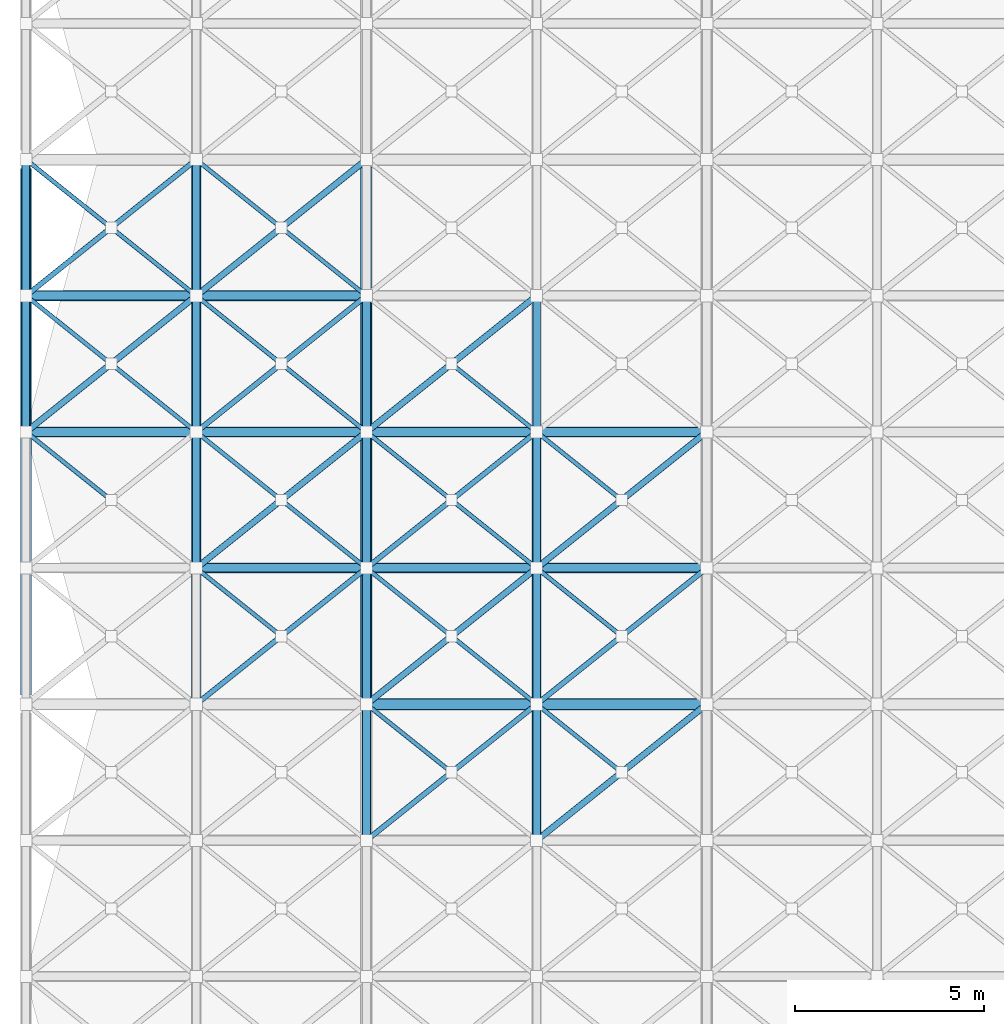
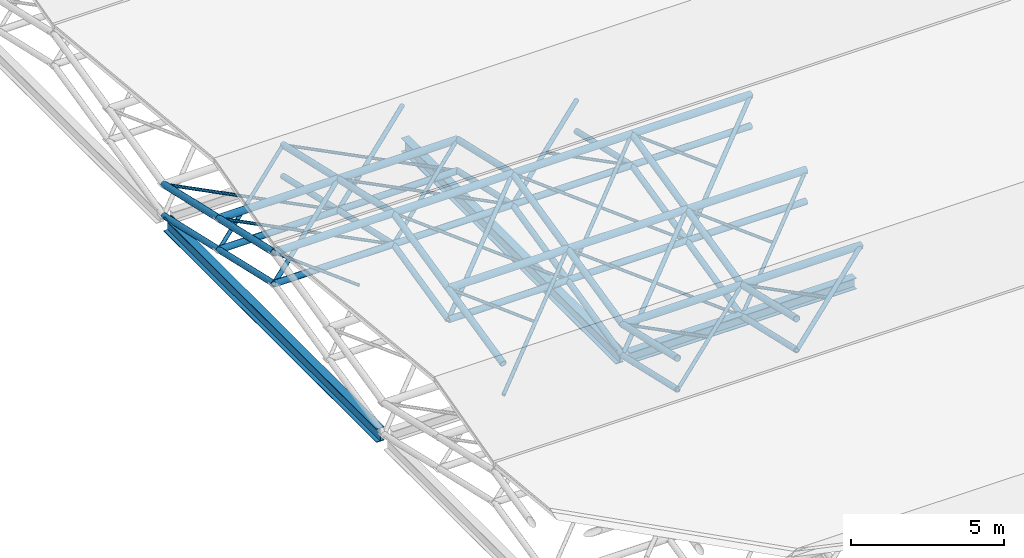
# One storey, part 16 of 110: 80 members, 3 beams.
"""IFC4 building model written with IfcOpenShell, lengths in metres."""

from ifc_helpers import new_model, si_unit, direction, frame, origin, origin_2d, place, context, subcontext, project, spatial, hollow_circle, i_section, extrude, material, material_profile, profile_set, type_object, element, save


model = new_model("IFC4")

# Units and contexts
model_context = context("Model", 3, precision=1e-05, world=origin(), true_north=direction((0.0, 1.0)))
body_context = subcontext(model_context, "Body", "Model", "MODEL_VIEW")
ifc_project = project(units=[si_unit("LENGTHUNIT", "METRE"), si_unit("AREAUNIT", "SQUARE_METRE"), si_unit("VOLUMEUNIT", "CUBIC_METRE"), si_unit("PLANEANGLEUNIT", "RADIAN"), si_unit("MASSUNIT", "GRAM", prefix="KILO")], contexts=[model_context])

# Site, building, storey
site_placement = place(None, origin())
site = spatial("IfcSite", under=ifc_project, at=site_placement, CompositionType="ELEMENT")
building_placement = place(site_placement, origin())
building = spatial("IfcBuilding", under=site, at=building_placement, Name="Tamarisk Ironworks Central Station", CompositionType="ELEMENT")
storey_placement = place(building_placement, frame((0.0, 0.0, 17.39990234375)))
storey = spatial("IfcBuildingStorey", under=building, at=storey_placement, Name="L03", CompositionType="ELEMENT", Elevation=17.39990234375)

# Beams
ifc_material_1 = material(Name="Structural steel S355J2", Category="steel")
ifc_material_profile_1 = material_profile(ifc_material_1, i_section(OverallWidth=0.300048828125, OverallDepth=0.5400390625, WebThickness=0.012451171875, FlangeThickness=0.02392578125, at=origin_2d()), Name="HEA 550")
ifc_profile_set_1 = profile_set([ifc_material_profile_1], Name="Structural steel S355J2")
beam_type_1 = type_object("IfcBeamType", Name="BM-G04", PredefinedType="BEAM", material=ifc_profile_set_1)
beam_1_placement = place(storey_placement, frame((0.0, 50.637939453125, -1.869873046875), z_axis=(0.0, 1.0, 0.0), x_axis=(-1.0, 0.0, 0.0)))
element("IfcBeam", 1, at=beam_1_placement, inside=storey, type_object=beam_type_1, Name="L03 primary girder Y-0584", PredefinedType="BEAM", context=body_context, shape_type="SweptSolid", body=[
    extrude(i_section(OverallWidth=0.300048828125, OverallDepth=0.5400390625, WebThickness=0.012451171875, FlangeThickness=0.02392578125, at=origin_2d()), origin(), (0.0, 0.0, 1.0), 13.924072265625),
])
beam_2_placement = place(storey_placement, frame((9.0, 50.59130859375, -1.869873046875), z_axis=(0.0, 1.0, 0.0), x_axis=(-1.0, 0.0, 0.0)))
element("IfcBeam", 2, at=beam_2_placement, inside=storey, type_object=beam_type_1, Name="L03 primary girder Y-0588", PredefinedType="BEAM", context=body_context, shape_type="SweptSolid", body=[
    extrude(i_section(OverallWidth=0.300048828125, OverallDepth=0.5400390625, WebThickness=0.012451171875, FlangeThickness=0.02392578125, at=origin_2d()), origin(), (0.0, 0.0, 1.0), 14.017578125),
])
ifc_material_profile_2 = material_profile(ifc_material_1, i_section(OverallWidth=0.300048828125, OverallDepth=0.43994140625, WebThickness=0.011474609375, FlangeThickness=0.02099609375, at=origin_2d()), Name="HEA 450")
ifc_profile_set_2 = profile_set([ifc_material_profile_2], Name="Structural steel S355J2")
beam_type_2 = type_object("IfcBeamType", Name="BM-G06", PredefinedType="BEAM", material=ifc_profile_set_2)
beam_3_placement = place(storey_placement, frame((9.191162109375, 50.39990234375, -1.81982421875), z_axis=(1.0, 0.0, 0.0), x_axis=(0.0, 1.0, 0.0)))
element("IfcBeam", 3, at=beam_3_placement, inside=storey, type_object=beam_type_2, Name="L03 primary girder X-0558", PredefinedType="BEAM", context=body_context, shape_type="SweptSolid", body=[
    extrude(i_section(OverallWidth=0.300048828125, OverallDepth=0.43994140625, WebThickness=0.011474609375, FlangeThickness=0.02099609375, at=origin_2d()), origin(), (0.0, 0.0, 1.0), 8.56689453125),
])

# Members
ifc_material_2 = material(Name="Structural steel S355J2H", Category="steel")
ifc_material_profile_3 = material_profile(ifc_material_2, hollow_circle(Radius=0.136474609375, WallThickness=0.012451171875, at=origin_2d()), Name="CHS 273x12.5")
ifc_profile_set_3 = profile_set([ifc_material_profile_3], Name="Structural steel S355J2H")
member_type_1 = type_object("IfcMemberType", Name="MB-SFC01", PredefinedType="CHORD", material=ifc_profile_set_3)
for number, where, z_axis, x_axis, name in (
    (4, (9.0, 50.39990234375, -0.469970703125), (1.0, 0.0, 0.0), (0.0, 1.0, 0.0), "Train shed space-frame top chord 0355"),
    (5, (13.5, 50.39990234375, -0.469970703125), (1.0, 0.0, 0.0), (0.0, 1.0, 0.0), "Train shed space-frame top chord 0356"),
    (6, (4.5, 54.0, 0.35498046875), (1.0, 0.0, 0.0), (0.0, 1.0, 0.0), "Train shed space-frame top chord 0562"),
    (7, (9.0, 54.0, 0.35498046875), (1.0, 0.0, 0.0), (0.0, 1.0, 0.0), "Train shed space-frame top chord 0563"),
    (8, (13.5, 54.0, 0.35498046875), (1.0, 0.0, 0.0), (0.0, 1.0, 0.0), "Train shed space-frame top chord 0564"),
    (9, (0.0, 57.60009765625, 1.18017578125), (1.0, 0.0, 0.0), (0.0, 1.0, 0.0), "Train shed space-frame top chord 0571"),
    (10, (4.5, 57.60009765625, 1.18017578125), (1.0, 0.0, 0.0), (0.0, 1.0, 0.0), "Train shed space-frame top chord 0572"),
    (11, (9.0, 57.60009765625, 1.18017578125), (1.0, 0.0, 0.0), (0.0, 1.0, 0.0), "Train shed space-frame top chord 0573"),
    (12, (13.5, 57.60009765625, 1.18017578125), (1.0, 0.0, 0.0), (0.0, 1.0, 0.0), "Train shed space-frame top chord 0574"),
    (13, (0.0, 61.199951171875, 0.35498046875), (1.0, 0.0, 0.0), (0.0, 1.0, 0.0), "Train shed space-frame top chord 0581"),
    (14, (4.5, 61.199951171875, 0.35498046875), (1.0, 0.0, 0.0), (0.0, 1.0, 0.0), "Train shed space-frame top chord 0582"),
):
    element("IfcMember", number, at=place(storey_placement, frame(where, z_axis=z_axis, x_axis=x_axis)), inside=storey, type_object=member_type_1, Name=name, PredefinedType="CHORD", context=body_context, shape_type="SweptSolid", body=[
        extrude(hollow_circle(Radius=0.136474609375, WallThickness=0.012451171875, at=origin_2d()), origin(), (0.0, 0.0, 1.0), 4.5),
    ])
ifc_material_profile_4 = material_profile(ifc_material_2, hollow_circle(Radius=0.122314453125, WallThickness=0.012451171875, at=origin_2d()), Name="CHS 244.5x12.5")
ifc_profile_set_4 = profile_set([ifc_material_profile_4], Name="Structural steel S355J2H")
member_type_2 = type_object("IfcMemberType", Name="MB-SFC02", PredefinedType="CHORD", material=ifc_profile_set_4)
for number, where, z_axis, x_axis, name in (
    (15, (9.0, 46.800048828125, 0.35498046875), (0.0, 0.974733218107, -0.223372230857), (-1.0, 0.0, 0.0), "Train shed space-frame top transverse chord 0374"),
    (16, (13.5, 46.800048828125, 0.35498046875), (0.0, 0.974733218107, -0.223372230857), (-1.0, 0.0, 0.0), "Train shed space-frame top transverse chord 0378"),
):
    element("IfcMember", number, at=place(storey_placement, frame(where, z_axis=z_axis, x_axis=x_axis)), inside=storey, type_object=member_type_2, Name=name, PredefinedType="CHORD", context=body_context, shape_type="SweptSolid", body=[
        extrude(hollow_circle(Radius=0.122314453125, WallThickness=0.012451171875, at=origin_2d()), origin(), (0.0, 0.0, 1.0), 3.693115234375),
    ])
for number, where, z_axis, x_axis, name in (
    (17, (4.5, 54.0, -0.89501953125), (1.0, 0.0, 0.0), (0.0, 1.0, 0.0), "Train shed space-frame bottom chord 0488"),
    (18, (9.0, 54.0, -0.89501953125), (1.0, 0.0, 0.0), (0.0, 1.0, 0.0), "Train shed space-frame bottom chord 0489"),
    (19, (13.5, 54.0, -0.89501953125), (1.0, 0.0, 0.0), (0.0, 1.0, 0.0), "Train shed space-frame bottom chord 0490"),
    (20, (0.0, 57.60009765625, -0.06982421875), (1.0, 0.0, 0.0), (0.0, 1.0, 0.0), "Train shed space-frame bottom chord 0497"),
    (21, (4.5, 57.60009765625, -0.06982421875), (1.0, 0.0, 0.0), (0.0, 1.0, 0.0), "Train shed space-frame bottom chord 0498"),
    (22, (9.0, 57.60009765625, -0.06982421875), (1.0, 0.0, 0.0), (0.0, 1.0, 0.0), "Train shed space-frame bottom chord 0499"),
    (23, (13.5, 57.60009765625, -0.06982421875), (1.0, 0.0, 0.0), (0.0, 1.0, 0.0), "Train shed space-frame bottom chord 0500"),
    (24, (0.0, 61.199951171875, -0.89501953125), (1.0, 0.0, 0.0), (0.0, 1.0, 0.0), "Train shed space-frame bottom chord 0507"),
    (25, (4.5, 61.199951171875, -0.89501953125), (1.0, 0.0, 0.0), (0.0, 1.0, 0.0), "Train shed space-frame bottom chord 0508"),
):
    element("IfcMember", number, at=place(storey_placement, frame(where, z_axis=z_axis, x_axis=x_axis)), inside=storey, type_object=member_type_2, Name=name, PredefinedType="CHORD", context=body_context, shape_type="SweptSolid", body=[
        extrude(hollow_circle(Radius=0.122314453125, WallThickness=0.012451171875, at=origin_2d()), origin(), (0.0, 0.0, 1.0), 4.5),
    ])
member_1_placement = place(storey_placement, frame((0.0, 57.60009765625, 1.18017578125), z_axis=(0.0, 0.974718823144, -0.223435037113), x_axis=(-1.0, 0.0, 0.0)))
element("IfcMember", 26, at=member_1_placement, inside=storey, type_object=member_type_2, Name="Train shed space-frame top transverse chord 0603", PredefinedType="CHORD", context=body_context, shape_type="SweptSolid", body=[
    extrude(hollow_circle(Radius=0.122314453125, WallThickness=0.012451171875, at=origin_2d()), origin(), (0.0, 0.0, 1.0), 3.693115234375),
])
for number, where, z_axis, x_axis, name in (
    (27, (0.0, 61.199951171875, 0.35498046875), (0.0, 0.974736516158, -0.223357838607), (-1.0, 0.0, 0.0), "Train shed space-frame top transverse chord 0604"),
    (28, (4.5, 50.39990234375, -0.469970703125), (0.0, 0.974736516158, 0.223357838607), (-1.0, 0.0, 0.0), "Train shed space-frame top transverse chord 0605"),
    (29, (4.5, 54.0, 0.35498046875), (0.0, 0.974722123001, 0.223420641241), (-1.0, 0.0, 0.0), "Train shed space-frame top transverse chord 0606"),
):
    element("IfcMember", number, at=place(storey_placement, frame(where, z_axis=z_axis, x_axis=x_axis)), inside=storey, type_object=member_type_2, Name=name, PredefinedType="CHORD", context=body_context, shape_type="SweptSolid", body=[
        extrude(hollow_circle(Radius=0.122314453125, WallThickness=0.012451171875, at=origin_2d()), origin(), (0.0, 0.0, 1.0), 3.693359375),
    ])
member_2_placement = place(storey_placement, frame((4.5, 57.60009765625, 1.18017578125), z_axis=(0.0, 0.974718823144, -0.223435037113), x_axis=(-1.0, 0.0, 0.0)))
element("IfcMember", 30, at=member_2_placement, inside=storey, type_object=member_type_2, Name="Train shed space-frame top transverse chord 0607", PredefinedType="CHORD", context=body_context, shape_type="SweptSolid", body=[
    extrude(hollow_circle(Radius=0.122314453125, WallThickness=0.012451171875, at=origin_2d()), origin(), (0.0, 0.0, 1.0), 3.693115234375),
])
for number, where, z_axis, x_axis, name in (
    (31, (4.5, 61.199951171875, 0.35498046875), (0.0, 0.974736516158, -0.223357838607), (-1.0, 0.0, 0.0), "Train shed space-frame top transverse chord 0608"),
    (32, (9.0, 50.39990234375, -0.469970703125), (0.0, 0.974736516158, 0.223357838607), (-1.0, 0.0, 0.0), "Train shed space-frame top transverse chord 0609"),
    (33, (9.0, 54.0, 0.35498046875), (0.0, 0.974722123001, 0.223420641241), (-1.0, 0.0, 0.0), "Train shed space-frame top transverse chord 0610"),
):
    element("IfcMember", number, at=place(storey_placement, frame(where, z_axis=z_axis, x_axis=x_axis)), inside=storey, type_object=member_type_2, Name=name, PredefinedType="CHORD", context=body_context, shape_type="SweptSolid", body=[
        extrude(hollow_circle(Radius=0.122314453125, WallThickness=0.012451171875, at=origin_2d()), origin(), (0.0, 0.0, 1.0), 3.693359375),
    ])
member_3_placement = place(storey_placement, frame((9.0, 57.60009765625, 1.18017578125), z_axis=(0.0, 0.974718823144, -0.223435037113), x_axis=(-1.0, 0.0, 0.0)))
element("IfcMember", 34, at=member_3_placement, inside=storey, type_object=member_type_2, Name="Train shed space-frame top transverse chord 0611", PredefinedType="CHORD", context=body_context, shape_type="SweptSolid", body=[
    extrude(hollow_circle(Radius=0.122314453125, WallThickness=0.012451171875, at=origin_2d()), origin(), (0.0, 0.0, 1.0), 3.693115234375),
])
for number, where, z_axis, x_axis, name in (
    (35, (13.5, 50.39990234375, -0.469970703125), (0.0, 0.974736516158, 0.223357838607), (-1.0, 0.0, 0.0), "Train shed space-frame top transverse chord 0613"),
    (36, (13.5, 54.0, 0.35498046875), (0.0, 0.974722123001, 0.223420641241), (-1.0, 0.0, 0.0), "Train shed space-frame top transverse chord 0614"),
):
    element("IfcMember", number, at=place(storey_placement, frame(where, z_axis=z_axis, x_axis=x_axis)), inside=storey, type_object=member_type_2, Name=name, PredefinedType="CHORD", context=body_context, shape_type="SweptSolid", body=[
        extrude(hollow_circle(Radius=0.122314453125, WallThickness=0.012451171875, at=origin_2d()), origin(), (0.0, 0.0, 1.0), 3.693359375),
    ])
ifc_material_profile_5 = material_profile(ifc_material_2, hollow_circle(Radius=0.109619140625, WallThickness=0.010009765625, at=origin_2d()), Name="CHS 219.1x10")
ifc_profile_set_5 = profile_set([ifc_material_profile_5], Name="Structural steel S355J2H")
member_type_3 = type_object("IfcMemberType", Name="MB-SFC03", PredefinedType="CHORD", material=ifc_profile_set_5)
for number, where, z_axis, x_axis, name in (
    (37, (9.0, 46.800048828125, -0.89501953125), (0.0, 0.974733218107, -0.223372230857), (-1.0, 0.0, 0.0), "Train shed space-frame transverse chord 0290"),
    (38, (13.5, 46.800048828125, -0.89501953125), (0.0, 0.974733218107, -0.223372230857), (-1.0, 0.0, 0.0), "Train shed space-frame transverse chord 0294"),
    (39, (0.0, 57.60009765625, -0.06982421875), (0.0, 0.974718823144, -0.223435037113), (-1.0, 0.0, 0.0), "Train shed space-frame transverse chord 0519"),
):
    element("IfcMember", number, at=place(storey_placement, frame(where, z_axis=z_axis, x_axis=x_axis)), inside=storey, type_object=member_type_3, Name=name, PredefinedType="CHORD", context=body_context, shape_type="SweptSolid", body=[
        extrude(hollow_circle(Radius=0.109619140625, WallThickness=0.010009765625, at=origin_2d()), origin(), (0.0, 0.0, 1.0), 3.693115234375),
    ])
for number, where, z_axis, x_axis, name in (
    (40, (0.0, 61.199951171875, -0.89501953125), (0.0, 0.974736516158, -0.223357838607), (-1.0, 0.0, 0.0), "Train shed space-frame transverse chord 0520"),
    (41, (4.5, 54.0, -0.89501953125), (0.0, 0.974722123001, 0.223420641241), (-1.0, 0.0, 0.0), "Train shed space-frame transverse chord 0522"),
):
    element("IfcMember", number, at=place(storey_placement, frame(where, z_axis=z_axis, x_axis=x_axis)), inside=storey, type_object=member_type_3, Name=name, PredefinedType="CHORD", context=body_context, shape_type="SweptSolid", body=[
        extrude(hollow_circle(Radius=0.109619140625, WallThickness=0.010009765625, at=origin_2d()), origin(), (0.0, 0.0, 1.0), 3.693359375),
    ])
member_4_placement = place(storey_placement, frame((4.5, 57.60009765625, -0.06982421875), z_axis=(0.0, 0.974718823144, -0.223435037113), x_axis=(-1.0, 0.0, 0.0)))
element("IfcMember", 42, at=member_4_placement, inside=storey, type_object=member_type_3, Name="Train shed space-frame transverse chord 0523", PredefinedType="CHORD", context=body_context, shape_type="SweptSolid", body=[
    extrude(hollow_circle(Radius=0.109619140625, WallThickness=0.010009765625, at=origin_2d()), origin(), (0.0, 0.0, 1.0), 3.693115234375),
])
for number, where, z_axis, x_axis, name in (
    (43, (4.5, 61.199951171875, -0.89501953125), (0.0, 0.974736516158, -0.223357838607), (-1.0, 0.0, 0.0), "Train shed space-frame transverse chord 0524"),
    (44, (9.0, 50.39990234375, -1.719970703125), (0.0, 0.974736516158, 0.223357838607), (-1.0, 0.0, 0.0), "Train shed space-frame transverse chord 0525"),
    (45, (9.0, 54.0, -0.89501953125), (0.0, 0.974722123001, 0.223420641241), (-1.0, 0.0, 0.0), "Train shed space-frame transverse chord 0526"),
):
    element("IfcMember", number, at=place(storey_placement, frame(where, z_axis=z_axis, x_axis=x_axis)), inside=storey, type_object=member_type_3, Name=name, PredefinedType="CHORD", context=body_context, shape_type="SweptSolid", body=[
        extrude(hollow_circle(Radius=0.109619140625, WallThickness=0.010009765625, at=origin_2d()), origin(), (0.0, 0.0, 1.0), 3.693359375),
    ])
member_5_placement = place(storey_placement, frame((9.0, 57.60009765625, -0.06982421875), z_axis=(0.0, 0.974718823144, -0.223435037113), x_axis=(-1.0, 0.0, 0.0)))
element("IfcMember", 46, at=member_5_placement, inside=storey, type_object=member_type_3, Name="Train shed space-frame transverse chord 0527", PredefinedType="CHORD", context=body_context, shape_type="SweptSolid", body=[
    extrude(hollow_circle(Radius=0.109619140625, WallThickness=0.010009765625, at=origin_2d()), origin(), (0.0, 0.0, 1.0), 3.693115234375),
])
for number, where, z_axis, x_axis, name in (
    (47, (13.5, 50.39990234375, -1.719970703125), (0.0, 0.974736516158, 0.223357838607), (-1.0, 0.0, 0.0), "Train shed space-frame transverse chord 0529"),
    (48, (13.5, 54.0, -0.89501953125), (0.0, 0.974722123001, 0.223420641241), (-1.0, 0.0, 0.0), "Train shed space-frame transverse chord 0530"),
):
    element("IfcMember", number, at=place(storey_placement, frame(where, z_axis=z_axis, x_axis=x_axis)), inside=storey, type_object=member_type_3, Name=name, PredefinedType="CHORD", context=body_context, shape_type="SweptSolid", body=[
        extrude(hollow_circle(Radius=0.109619140625, WallThickness=0.010009765625, at=origin_2d()), origin(), (0.0, 0.0, 1.0), 3.693359375),
    ])
member_6_placement = place(storey_placement, frame((13.5, 57.60009765625, -0.06982421875), z_axis=(0.0, 0.974718823144, -0.223435037113), x_axis=(-1.0, 0.0, 0.0)))
element("IfcMember", 49, at=member_6_placement, inside=storey, type_object=member_type_3, Name="Train shed space-frame transverse chord 0531", PredefinedType="CHORD", context=body_context, shape_type="SweptSolid", body=[
    extrude(hollow_circle(Radius=0.109619140625, WallThickness=0.010009765625, at=origin_2d()), origin(), (0.0, 0.0, 1.0), 3.693115234375),
])
ifc_material_profile_6 = material_profile(ifc_material_2, hollow_circle(Radius=0.084228515625, WallThickness=0.010009765625, at=origin_2d()), Name="CHS 168.3x10")
ifc_profile_set_6 = profile_set([ifc_material_profile_6], Name="Structural steel S355J2H")
member_type_4 = type_object("IfcMemberType", Name="MB-SFD01", PredefinedType="BRACE", material=ifc_profile_set_6)
for number, where, z_axis, x_axis, name in (
    (50, (13.5, 46.800048828125, -0.89501953125), (0.778765724077, 0.622987228815, 0.073558546312), (-0.624679547852, 0.780881208953, 0.0), "Train shed space-frame diagonal 0437"),
    (51, (0.0, 57.60009765625, -0.06982421875), (0.778768143722, 0.622989164452, 0.073516523984), (-0.624679547852, 0.780881208953, 0.0), "Train shed space-frame diagonal 0649"),
):
    element("IfcMember", number, at=place(storey_placement, frame(where, z_axis=z_axis, x_axis=x_axis)), inside=storey, type_object=member_type_4, Name=name, PredefinedType="BRACE", context=body_context, shape_type="SweptSolid", body=[
        extrude(hollow_circle(Radius=0.084228515625, WallThickness=0.010009765625, at=origin_2d()), origin(), (0.0, 0.0, 1.0), 5.7783203125),
    ])
member_7_placement = place(storey_placement, frame((4.5, 54.0, -0.89501953125), z_axis=(0.734679055902, 0.587759188278, 0.338800562889), x_axis=(-0.624705380279, 0.780860543151, 0.0)))
element("IfcMember", 52, at=member_7_placement, inside=storey, type_object=member_type_4, Name="Train shed space-frame diagonal 0655", PredefinedType="BRACE", context=body_context, shape_type="SweptSolid", body=[
    extrude(hollow_circle(Radius=0.084228515625, WallThickness=0.010009765625, at=origin_2d()), origin(), (0.0, 0.0, 1.0), 6.125244140625),
])
member_8_placement = place(storey_placement, frame((4.5, 61.199951171875, -0.89501953125), z_axis=(0.778745225774, 0.623013080472, 0.073556610138), x_axis=(-0.624705380279, 0.780860543151, 0.0)))
element("IfcMember", 53, at=member_8_placement, inside=storey, type_object=member_type_4, Name="Train shed space-frame diagonal 0659", PredefinedType="BRACE", context=body_context, shape_type="SweptSolid", body=[
    extrude(hollow_circle(Radius=0.084228515625, WallThickness=0.010009765625, at=origin_2d()), origin(), (0.0, 0.0, 1.0), 5.778564453125),
])
member_9_placement = place(storey_placement, frame((9.0, 50.39990234375, -1.719970703125), z_axis=(0.734688976783, 0.587767125198, 0.33876527852), x_axis=(-0.624705380279, 0.780860543151, 0.0)))
element("IfcMember", 54, at=member_9_placement, inside=storey, type_object=member_type_4, Name="Train shed space-frame diagonal 0661", PredefinedType="BRACE", context=body_context, shape_type="SweptSolid", body=[
    extrude(hollow_circle(Radius=0.084228515625, WallThickness=0.010009765625, at=origin_2d()), origin(), (0.0, 0.0, 1.0), 6.125),
])
member_10_placement = place(storey_placement, frame((9.0, 57.60009765625, -0.06982421875), z_axis=(0.778768143722, 0.622989164452, 0.073516523984), x_axis=(-0.624679547852, 0.780881208953, 0.0)))
element("IfcMember", 55, at=member_10_placement, inside=storey, type_object=member_type_4, Name="Train shed space-frame diagonal 0665", PredefinedType="BRACE", context=body_context, shape_type="SweptSolid", body=[
    extrude(hollow_circle(Radius=0.084228515625, WallThickness=0.010009765625, at=origin_2d()), origin(), (0.0, 0.0, 1.0), 5.7783203125),
])
member_11_placement = place(storey_placement, frame((13.5, 54.0, -0.89501953125), z_axis=(0.734679055902, 0.587759188278, 0.338800562889), x_axis=(-0.624705380279, 0.780860543151, 0.0)))
element("IfcMember", 56, at=member_11_placement, inside=storey, type_object=member_type_4, Name="Train shed space-frame diagonal 0671", PredefinedType="BRACE", context=body_context, shape_type="SweptSolid", body=[
    extrude(hollow_circle(Radius=0.084228515625, WallThickness=0.010009765625, at=origin_2d()), origin(), (0.0, 0.0, 1.0), 6.125244140625),
])
ifc_material_profile_7 = material_profile(ifc_material_2, hollow_circle(Radius=0.06982421875, WallThickness=0.008056640625, at=origin_2d()), Name="CHS 139.7x8")
ifc_profile_set_7 = profile_set([ifc_material_profile_7], Name="Structural steel S355J2H")
member_type_5 = type_object("IfcMemberType", Name="MB-SFD02", PredefinedType="BRACE", material=ifc_profile_set_7)
member_12_placement = place(storey_placement, frame((9.0, 46.800048828125, -0.89501953125), z_axis=(0.778765724077, 0.622987228815, 0.073558546312), x_axis=(-0.624679547852, 0.780881208953, 0.0)))
element("IfcMember", 57, at=member_12_placement, inside=storey, type_object=member_type_5, Name="Train shed space-frame diagonal 0429", PredefinedType="BRACE", context=body_context, shape_type="SweptSolid", body=[
    extrude(hollow_circle(Radius=0.06982421875, WallThickness=0.008056640625, at=origin_2d()), origin(), (0.0, 0.0, 1.0), 5.7783203125),
])
member_13_placement = place(storey_placement, frame((0.0, 61.199951171875, -0.89501953125), z_axis=(0.778745225774, 0.623013080472, 0.073556610138), x_axis=(-0.624705380279, 0.780860543151, 0.0)))
element("IfcMember", 58, at=member_13_placement, inside=storey, type_object=member_type_5, Name="Train shed space-frame diagonal 0651", PredefinedType="BRACE", context=body_context, shape_type="SweptSolid", body=[
    extrude(hollow_circle(Radius=0.06982421875, WallThickness=0.008056640625, at=origin_2d()), origin(), (0.0, 0.0, 1.0), 5.778564453125),
])
member_14_placement = place(storey_placement, frame((4.5, 50.39990234375, -1.719970703125), z_axis=(0.734688976783, 0.587767125198, 0.33876527852), x_axis=(-0.624705380279, 0.780860543151, 0.0)))
element("IfcMember", 59, at=member_14_placement, inside=storey, type_object=member_type_5, Name="Train shed space-frame diagonal 0653", PredefinedType="BRACE", context=body_context, shape_type="SweptSolid", body=[
    extrude(hollow_circle(Radius=0.06982421875, WallThickness=0.008056640625, at=origin_2d()), origin(), (0.0, 0.0, 1.0), 6.125),
])
member_15_placement = place(storey_placement, frame((4.5, 57.60009765625, -0.06982421875), z_axis=(0.778768143722, 0.622989164452, 0.073516523984), x_axis=(-0.624679547852, 0.780881208953, 0.0)))
element("IfcMember", 60, at=member_15_placement, inside=storey, type_object=member_type_5, Name="Train shed space-frame diagonal 0657", PredefinedType="BRACE", context=body_context, shape_type="SweptSolid", body=[
    extrude(hollow_circle(Radius=0.06982421875, WallThickness=0.008056640625, at=origin_2d()), origin(), (0.0, 0.0, 1.0), 5.7783203125),
])
member_16_placement = place(storey_placement, frame((9.0, 54.0, -0.89501953125), z_axis=(0.734679055902, 0.587759188278, 0.338800562889), x_axis=(-0.624705380279, 0.780860543151, 0.0)))
element("IfcMember", 61, at=member_16_placement, inside=storey, type_object=member_type_5, Name="Train shed space-frame diagonal 0663", PredefinedType="BRACE", context=body_context, shape_type="SweptSolid", body=[
    extrude(hollow_circle(Radius=0.06982421875, WallThickness=0.008056640625, at=origin_2d()), origin(), (0.0, 0.0, 1.0), 6.125244140625),
])
member_17_placement = place(storey_placement, frame((13.5, 50.39990234375, -1.719970703125), z_axis=(0.734688976783, 0.587767125198, 0.33876527852), x_axis=(-0.624705380279, 0.780860543151, 0.0)))
element("IfcMember", 62, at=member_17_placement, inside=storey, type_object=member_type_5, Name="Train shed space-frame diagonal 0669", PredefinedType="BRACE", context=body_context, shape_type="SweptSolid", body=[
    extrude(hollow_circle(Radius=0.06982421875, WallThickness=0.008056640625, at=origin_2d()), origin(), (0.0, 0.0, 1.0), 6.125),
])
ifc_material_profile_8 = material_profile(ifc_material_2, hollow_circle(Radius=0.05712890625, WallThickness=0.00634765625, at=origin_2d()), Name="CHS 114.3x6.3")
ifc_profile_set_8 = profile_set([ifc_material_profile_8], Name="Structural steel S355J2H")
member_type_6 = type_object("IfcMemberType", Name="MB-SFD03", PredefinedType="BRACE", material=ifc_profile_set_8)
for number, where, z_axis, x_axis, name in (
    (63, (11.207275390625, 48.63427734375, -0.678466796875), (-0.778786711003, 0.622960457248, 0.073563084968), (-0.624652913247, -0.780902515025, 0.0), "Train shed space-frame split counter-diagonal upper 0430"),
    (64, (15.707275390625, 48.63427734375, -0.678466796875), (-0.778786711003, 0.622960457248, 0.073563084968), (-0.624652913247, -0.780902515025, 0.0), "Train shed space-frame split counter-diagonal upper 0438"),
):
    element("IfcMember", number, at=place(storey_placement, frame(where, z_axis=z_axis, x_axis=x_axis)), inside=storey, type_object=member_type_6, Name=name, PredefinedType="BRACE", context=body_context, shape_type="SweptSolid", body=[
        extrude(hollow_circle(Radius=0.05712890625, WallThickness=0.00634765625, at=origin_2d()), origin(), (0.0, 0.0, 1.0), 2.834228515625),
    ])
member_18_placement = place(storey_placement, frame((2.209716796875, 55.832275390625, 0.1611328125), z_axis=(-0.734677102003, 0.587757915766, 0.338807007376), x_axis=(-0.624705568642, -0.780860392457, 0.0)))
element("IfcMember", 65, at=member_18_placement, inside=storey, type_object=member_type_6, Name="Train shed space-frame split counter-diagonal upper 0648", PredefinedType="BRACE", context=body_context, shape_type="SweptSolid", body=[
    extrude(hollow_circle(Radius=0.05712890625, WallThickness=0.00634765625, at=origin_2d()), origin(), (0.0, 0.0, 1.0), 3.0078125),
])
for number, where, z_axis, x_axis, name in (
    (66, (4.5, 57.60009765625, -0.06982421875), (-0.778786711003, 0.622960457248, 0.073563084968), (-0.624652913247, -0.780902515025, 0.0), "Train shed space-frame split counter-diagonal lower 0650"),
    (67, (2.207275390625, 59.434326171875, 0.146484375), (-0.778786711003, 0.622960457248, 0.073563084968), (-0.624652913247, -0.780902515025, 0.0), "Train shed space-frame split counter-diagonal upper 0650"),
):
    element("IfcMember", number, at=place(storey_placement, frame(where, z_axis=z_axis, x_axis=x_axis)), inside=storey, type_object=member_type_6, Name=name, PredefinedType="BRACE", context=body_context, shape_type="SweptSolid", body=[
        extrude(hollow_circle(Radius=0.05712890625, WallThickness=0.00634765625, at=origin_2d()), origin(), (0.0, 0.0, 1.0), 2.834228515625),
    ])
for number, where, z_axis, x_axis, name in (
    (68, (4.5, 61.199951171875, -0.89501953125), (-0.778744920641, 0.623013163477, 0.07355913751), (-0.624705580279, -0.780860383147, 0.0), "Train shed space-frame split counter-diagonal lower 0652"),
    (69, (2.207275390625, 63.0341796875, -0.678466796875), (-0.778744920641, 0.623013163477, 0.07355913751), (-0.624705580279, -0.780860383147, 0.0), "Train shed space-frame split counter-diagonal upper 0652"),
):
    element("IfcMember", number, at=place(storey_placement, frame(where, z_axis=z_axis, x_axis=x_axis)), inside=storey, type_object=member_type_6, Name=name, PredefinedType="BRACE", context=body_context, shape_type="SweptSolid", body=[
        extrude(hollow_circle(Radius=0.05712890625, WallThickness=0.00634765625, at=origin_2d()), origin(), (0.0, 0.0, 1.0), 2.83447265625),
    ])
for number, where, z_axis, x_axis, name in (
    (70, (6.709716796875, 52.232421875, -0.663818359375), (-0.734732358486, 0.587720945248, 0.338751312779), (-0.624652959802, -0.780902477785, 0.0), "Train shed space-frame split counter-diagonal upper 0654"),
    (71, (9.0, 54.0, -0.89501953125), (-0.734712152648, 0.587704782363, 0.33882317149), (-0.624652959802, -0.780902477785, 0.0), "Train shed space-frame split counter-diagonal lower 0656"),
):
    element("IfcMember", number, at=place(storey_placement, frame(where, z_axis=z_axis, x_axis=x_axis)), inside=storey, type_object=member_type_6, Name=name, PredefinedType="BRACE", context=body_context, shape_type="SweptSolid", body=[
        extrude(hollow_circle(Radius=0.05712890625, WallThickness=0.00634765625, at=origin_2d()), origin(), (0.0, 0.0, 1.0), 3.007568359375),
    ])
member_19_placement = place(storey_placement, frame((6.709716796875, 55.832275390625, 0.1611328125), z_axis=(-0.734677102003, 0.587757915766, 0.338807007376), x_axis=(-0.624705568642, -0.780860392457, 0.0)))
element("IfcMember", 72, at=member_19_placement, inside=storey, type_object=member_type_6, Name="Train shed space-frame split counter-diagonal upper 0656", PredefinedType="BRACE", context=body_context, shape_type="SweptSolid", body=[
    extrude(hollow_circle(Radius=0.05712890625, WallThickness=0.00634765625, at=origin_2d()), origin(), (0.0, 0.0, 1.0), 3.0078125),
])
for number, where, z_axis, x_axis, name in (
    (73, (9.0, 57.60009765625, -0.06982421875), (-0.778786711003, 0.622960457248, 0.073563084968), (-0.624652913247, -0.780902515025, 0.0), "Train shed space-frame split counter-diagonal lower 0658"),
    (74, (6.707275390625, 59.434326171875, 0.146484375), (-0.778786711003, 0.622960457248, 0.073563084968), (-0.624652913247, -0.780902515025, 0.0), "Train shed space-frame split counter-diagonal upper 0658"),
):
    element("IfcMember", number, at=place(storey_placement, frame(where, z_axis=z_axis, x_axis=x_axis)), inside=storey, type_object=member_type_6, Name=name, PredefinedType="BRACE", context=body_context, shape_type="SweptSolid", body=[
        extrude(hollow_circle(Radius=0.05712890625, WallThickness=0.00634765625, at=origin_2d()), origin(), (0.0, 0.0, 1.0), 2.834228515625),
    ])
for number, where, z_axis, x_axis, name in (
    (75, (9.0, 61.199951171875, -0.89501953125), (-0.778744920641, 0.623013163477, 0.07355913751), (-0.624705580279, -0.780860383147, 0.0), "Train shed space-frame split counter-diagonal lower 0660"),
    (76, (6.707275390625, 63.0341796875, -0.678466796875), (-0.778744920641, 0.623013163477, 0.07355913751), (-0.624705580279, -0.780860383147, 0.0), "Train shed space-frame split counter-diagonal upper 0660"),
):
    element("IfcMember", number, at=place(storey_placement, frame(where, z_axis=z_axis, x_axis=x_axis)), inside=storey, type_object=member_type_6, Name=name, PredefinedType="BRACE", context=body_context, shape_type="SweptSolid", body=[
        extrude(hollow_circle(Radius=0.05712890625, WallThickness=0.00634765625, at=origin_2d()), origin(), (0.0, 0.0, 1.0), 2.83447265625),
    ])
member_20_placement = place(storey_placement, frame((13.5, 50.39990234375, -1.719970703125), z_axis=(-0.734677102003, 0.587757915766, 0.338807007376), x_axis=(-0.624705568642, -0.780860392457, 0.0)))
element("IfcMember", 77, at=member_20_placement, inside=storey, type_object=member_type_6, Name="Train shed space-frame split counter-diagonal lower 0662", PredefinedType="BRACE", context=body_context, shape_type="SweptSolid", body=[
    extrude(hollow_circle(Radius=0.05712890625, WallThickness=0.00634765625, at=origin_2d()), origin(), (0.0, 0.0, 1.0), 3.0078125),
])
for number, where, z_axis, x_axis, name in (
    (78, (11.209716796875, 52.232421875, -0.663818359375), (-0.734732358486, 0.587720945248, 0.338751312779), (-0.624652959802, -0.780902477785, 0.0), "Train shed space-frame split counter-diagonal upper 0662"),
    (79, (13.5, 54.0, -0.89501953125), (-0.734712152648, 0.587704782363, 0.33882317149), (-0.624652959802, -0.780902477785, 0.0), "Train shed space-frame split counter-diagonal lower 0664"),
):
    element("IfcMember", number, at=place(storey_placement, frame(where, z_axis=z_axis, x_axis=x_axis)), inside=storey, type_object=member_type_6, Name=name, PredefinedType="BRACE", context=body_context, shape_type="SweptSolid", body=[
        extrude(hollow_circle(Radius=0.05712890625, WallThickness=0.00634765625, at=origin_2d()), origin(), (0.0, 0.0, 1.0), 3.007568359375),
    ])
member_21_placement = place(storey_placement, frame((11.209716796875, 55.832275390625, 0.1611328125), z_axis=(-0.734677102003, 0.587757915766, 0.338807007376), x_axis=(-0.624705568642, -0.780860392457, 0.0)))
element("IfcMember", 80, at=member_21_placement, inside=storey, type_object=member_type_6, Name="Train shed space-frame split counter-diagonal upper 0664", PredefinedType="BRACE", context=body_context, shape_type="SweptSolid", body=[
    extrude(hollow_circle(Radius=0.05712890625, WallThickness=0.00634765625, at=origin_2d()), origin(), (0.0, 0.0, 1.0), 3.0078125),
])
member_22_placement = place(storey_placement, frame((13.5, 57.60009765625, -0.06982421875), z_axis=(-0.778786711003, 0.622960457248, 0.073563084968), x_axis=(-0.624652913247, -0.780902515025, 0.0)))
element("IfcMember", 81, at=member_22_placement, inside=storey, type_object=member_type_6, Name="Train shed space-frame split counter-diagonal lower 0666", PredefinedType="BRACE", context=body_context, shape_type="SweptSolid", body=[
    extrude(hollow_circle(Radius=0.05712890625, WallThickness=0.00634765625, at=origin_2d()), origin(), (0.0, 0.0, 1.0), 2.834228515625),
])
member_23_placement = place(storey_placement, frame((15.709716796875, 52.232421875, -0.663818359375), z_axis=(-0.734732358486, 0.587720945248, 0.338751312779), x_axis=(-0.624652959802, -0.780902477785, 0.0)))
element("IfcMember", 82, at=member_23_placement, inside=storey, type_object=member_type_6, Name="Train shed space-frame split counter-diagonal upper 0670", PredefinedType="BRACE", context=body_context, shape_type="SweptSolid", body=[
    extrude(hollow_circle(Radius=0.05712890625, WallThickness=0.00634765625, at=origin_2d()), origin(), (0.0, 0.0, 1.0), 3.007568359375),
])
member_24_placement = place(storey_placement, frame((15.709716796875, 55.832275390625, 0.1611328125), z_axis=(-0.734677102003, 0.587757915766, 0.338807007376), x_axis=(-0.624705568642, -0.780860392457, 0.0)))
element("IfcMember", 83, at=member_24_placement, inside=storey, type_object=member_type_6, Name="Train shed space-frame split counter-diagonal upper 0672", PredefinedType="BRACE", context=body_context, shape_type="SweptSolid", body=[
    extrude(hollow_circle(Radius=0.05712890625, WallThickness=0.00634765625, at=origin_2d()), origin(), (0.0, 0.0, 1.0), 3.0078125),
])

save(model, "model.ifc")
